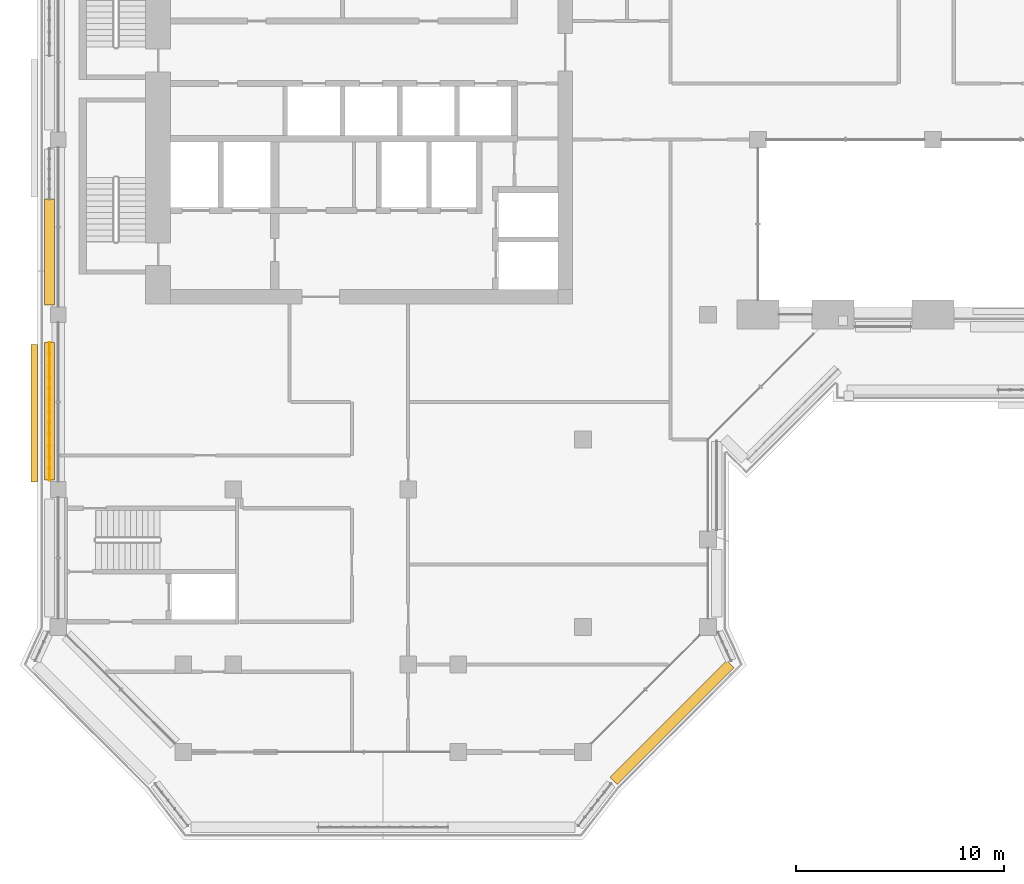
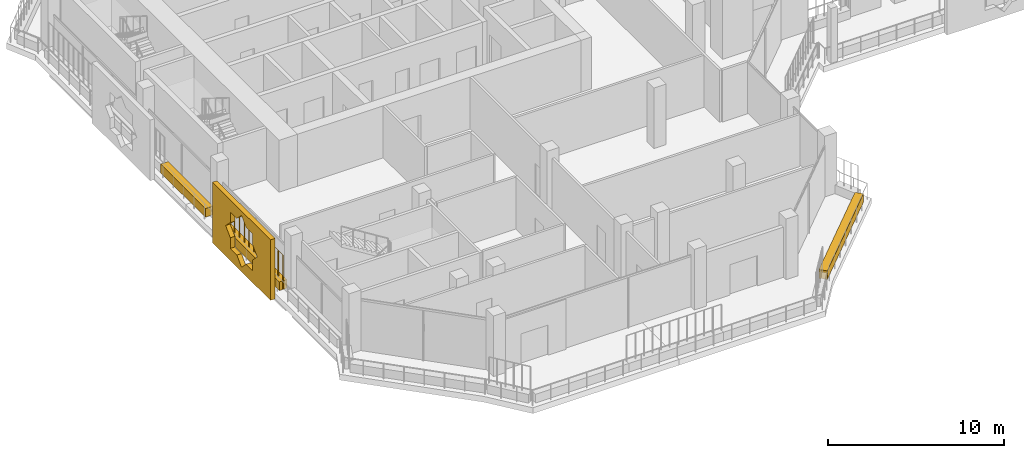
# One storey, part 15 of 22: 4 coverings, 1 railing.
"""IFC4 building model written with IfcOpenShell, lengths in metres."""

from ifc_helpers import new_model, si_unit, direction, frame, origin, origin_2d, place, context, subcontext, project, spatial, polyline, rectangle, circle, outline, extrude, material, material_profile, profile_set, type_object, element, save


model = new_model("IFC4")

# Units and contexts
model_context = context("Model", 3, precision=1e-05, world=origin(), true_north=direction((0.0, 1.0)))
body_context = subcontext(model_context, "Body", "Model", "MODEL_VIEW")
ifc_project = project(units=[si_unit("LENGTHUNIT", "METRE"), si_unit("AREAUNIT", "SQUARE_METRE"), si_unit("VOLUMEUNIT", "CUBIC_METRE"), si_unit("PLANEANGLEUNIT", "RADIAN"), si_unit("MASSUNIT", "GRAM", prefix="KILO")], contexts=[model_context])

# Site, building, storey
site_placement = place(None, origin())
site = spatial("IfcSite", under=ifc_project, at=site_placement, CompositionType="ELEMENT")
building_placement = place(site_placement, origin())
building = spatial("IfcBuilding", under=site, at=building_placement, Name="Kawkab Arch Medical Tower", CompositionType="ELEMENT")
storey_placement = place(building_placement, frame((0.0, 0.0, 286.0)))
storey = spatial("IfcBuildingStorey", under=building, at=storey_placement, Name="L66", CompositionType="ELEMENT", Elevation=286.0)

# Coverings
ifc_material_1 = material(Name="Bronze anodised aluminium mashrabiya panel, eight-point star pattern", Category="aluminium")
ifc_material_profile_1 = material_profile(ifc_material_1, outline(polyline([(-3.300048828125, -2.10009765625), (3.300048828125, -2.10009765625), (3.300048828125, 2.10009765625), (-3.300048828125, 2.10009765625), (-3.300048828125, -2.10009765625)]), holes=[polyline([(1.800048828125, 0.0), (1.272705078125, 0.527099609375), (1.272705078125, 1.272705078125), (0.527099609375, 1.272705078125), (0.0, 1.800048828125), (-0.527099609375, 1.272705078125), (-1.272705078125, 1.272705078125), (-1.272705078125, 0.527099609375), (-1.800048828125, 0.0), (-1.272705078125, -0.527099609375), (-1.272705078125, -1.272705078125), (-0.527099609375, -1.272705078125), (0.0, -1.800048828125), (0.527099609375, -1.272705078125), (1.272705078125, -1.272705078125), (1.272705078125, -0.527099609375), (1.800048828125, 0.0)])]), Name="Mashrabiya panel 6600x4200")
ifc_profile_set_1 = profile_set([ifc_material_profile_1], Name="Bronze anodised aluminium mashrabiya panel, eight-point star pattern")
covering_type_1 = type_object("IfcCoveringType", Name="Mashrabiya panel 6600 x 4200", PredefinedType="USERDEFINED", material=ifc_profile_set_1)
covering_1_placement = place(storey_placement, frame((-1.0, -29.94091796875, 1.699951171875), z_axis=(-1.0, 0.0, 0.0), x_axis=(0.0, -1.0, 0.0)))
element("IfcCovering", 1, at=covering_1_placement, inside=storey, type_object=covering_type_1, Name="Mashrabiya panel L66.LOG-01-02.1", ObjectType="SCREEN", PredefinedType="USERDEFINED", context=body_context, shape_type="SweptSolid", body=[
    extrude(outline(polyline([(-3.300048828125, -2.10009765625), (3.300048828125, -2.10009765625), (3.300048828125, 2.10009765625), (-3.300048828125, 2.10009765625), (-3.300048828125, -2.10009765625)]), holes=[polyline([(1.800048828125, 0.0), (1.272705078125, 0.527099609375), (1.272705078125, 1.272705078125), (0.527099609375, 1.272705078125), (0.0, 1.800048828125), (-0.527099609375, 1.272705078125), (-1.272705078125, 1.272705078125), (-1.272705078125, 0.527099609375), (-1.800048828125, 0.0), (-1.272705078125, -0.527099609375), (-1.272705078125, -1.272705078125), (-0.527099609375, -1.272705078125), (0.0, -1.800048828125), (0.527099609375, -1.272705078125), (1.272705078125, -1.272705078125), (1.272705078125, -0.527099609375), (1.800048828125, 0.0)])]), origin(), (0.0, 0.0, 1.0), 0.300048828125),
])
ifc_material_2 = material(Name="Planting soil in a precast trough", Category="concrete")
ifc_material_profile_2 = material_profile(ifc_material_2, rectangle(XDim=0.5, YDim=0.60009765625, at=origin_2d()), Name="Trough 500x600")
ifc_profile_set_2 = profile_set([ifc_material_profile_2], Name="Planting soil in a precast trough")
covering_type_2 = type_object("IfcCoveringType", Name="Planter trough 500 x 600", PredefinedType="USERDEFINED", material=ifc_profile_set_2)
covering_2_placement = place(storey_placement, frame((-0.419921875, -33.14697265625, 0.300048828125), z_axis=(0.0, 1.0, 0.0), x_axis=(-1.0, 0.0, 0.0)))
element("IfcCovering", 2, at=covering_2_placement, inside=storey, type_object=covering_type_2, Name="Planter L66.LOG-01-02.5", ObjectType="PLANTER", PredefinedType="USERDEFINED", context=body_context, shape_type="SweptSolid", body=[
    extrude(rectangle(XDim=0.5, YDim=0.60009765625, at=origin_2d()), origin(), (0.0, 0.0, 1.0), 6.60205078125),
])
covering_3_placement = place(storey_placement, frame((-0.419921875, -24.7470703125, 0.300048828125), z_axis=(0.0, 1.0, 0.0), x_axis=(-1.0, 0.0, 0.0)))
element("IfcCovering", 3, at=covering_3_placement, inside=storey, type_object=covering_type_2, Name="Planter L66.LOG-01-02.6", ObjectType="PLANTER", PredefinedType="USERDEFINED", context=body_context, shape_type="SweptSolid", body=[
    extrude(rectangle(XDim=0.5, YDim=0.60009765625, at=origin_2d()), origin(), (0.0, 0.0, 1.0), 5.092041015625),
])
covering_4_placement = place(storey_placement, frame((32.27294921875, -41.98291015625, 0.300048828125), z_axis=(-0.707091367247, -0.70712219479, 0.0), x_axis=(0.70712219479, -0.707091367247, 0.0)))
element("IfcCovering", 4, at=covering_4_placement, inside=storey, type_object=covering_type_2, Name="Planter L66.LOG-01-02.36", ObjectType="PLANTER", PredefinedType="USERDEFINED", context=body_context, shape_type="SweptSolid", body=[
    extrude(rectangle(XDim=0.5, YDim=0.60009765625, at=origin_2d()), origin(), (0.0, 0.0, 1.0), 7.919677734375),
])

# Railing
ifc_material_3 = material(Name="Bronze anodised aluminium trellis for climbing plants", Category="aluminium")
railing_type = type_object("IfcRailingType", Name="Planting trellis 2400", PredefinedType="USERDEFINED", material=ifc_material_3)
railing_placement = place(storey_placement, frame((-0.419921875, -33.14697265625, 0.0)))
element("IfcRailing", 5, at=railing_placement, inside=storey, type_object=railing_type, Name="Planting trellis L66.LOG-01-02.5", ObjectType="TRELLIS", PredefinedType="USERDEFINED", context=body_context, shape_type="SweptSolid", body=[
    extrude(circle(Radius=0.01513671875, at=origin_2d()), frame((0.0, 0.0, 2.384765625), z_axis=(0.0, 1.0, 0.0), x_axis=(-1.0, 0.0, 0.0)), (0.0, 0.0, 1.0), 6.60205078125),
    extrude(circle(Radius=0.030029296875, at=origin_2d()), origin(), (0.0, 0.0, 1.0), 2.369873046875),
    extrude(circle(Radius=0.030029296875, at=origin_2d()), frame((0.0, 0.55029296875, 0.0)), (0.0, 0.0, 1.0), 2.369873046875),
    extrude(circle(Radius=0.030029296875, at=origin_2d()), frame((0.0, 1.100341796875, 0.0)), (0.0, 0.0, 1.0), 2.369873046875),
    extrude(circle(Radius=0.030029296875, at=origin_2d()), frame((0.0, 1.650390625, 0.0)), (0.0, 0.0, 1.0), 2.369873046875),
    extrude(circle(Radius=0.030029296875, at=origin_2d()), frame((0.0, 2.20068359375, 0.0)), (0.0, 0.0, 1.0), 2.369873046875),
    extrude(circle(Radius=0.030029296875, at=origin_2d()), frame((0.0, 2.7509765625, 0.0)), (0.0, 0.0, 1.0), 2.369873046875),
    extrude(circle(Radius=0.030029296875, at=origin_2d()), frame((0.0, 3.301025390625, 0.0)), (0.0, 0.0, 1.0), 2.369873046875),
    extrude(circle(Radius=0.030029296875, at=origin_2d()), frame((0.0, 3.851318359375, 0.0)), (0.0, 0.0, 1.0), 2.369873046875),
    extrude(circle(Radius=0.030029296875, at=origin_2d()), frame((0.0, 4.4013671875, 0.0)), (0.0, 0.0, 1.0), 2.369873046875),
    extrude(circle(Radius=0.030029296875, at=origin_2d()), frame((0.0, 4.95166015625, 0.0)), (0.0, 0.0, 1.0), 2.369873046875),
    extrude(circle(Radius=0.030029296875, at=origin_2d()), frame((0.0, 5.501708984375, 0.0)), (0.0, 0.0, 1.0), 2.369873046875),
    extrude(circle(Radius=0.030029296875, at=origin_2d()), frame((0.0, 6.0517578125, 0.0)), (0.0, 0.0, 1.0), 2.369873046875),
    extrude(circle(Radius=0.030029296875, at=origin_2d()), frame((0.0, 6.60205078125, 0.0)), (0.0, 0.0, 1.0), 2.369873046875),
])

save(model, "model.ifc")
